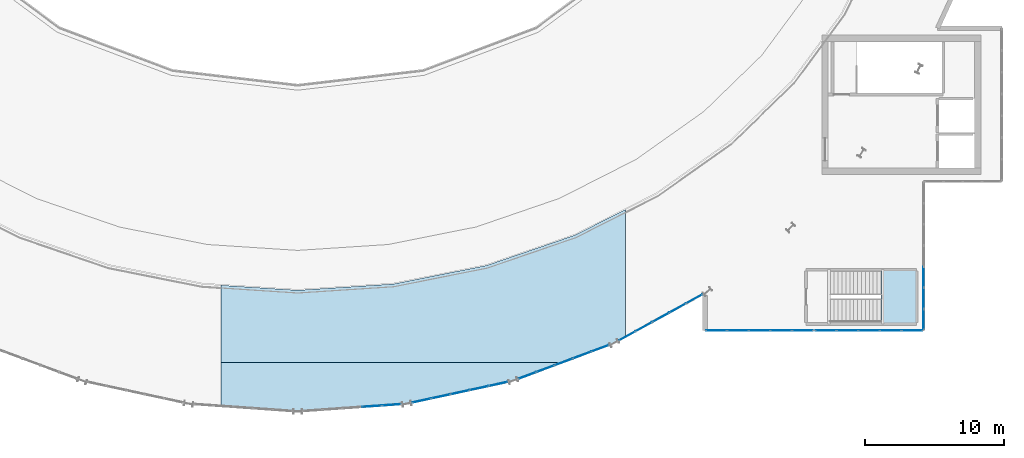
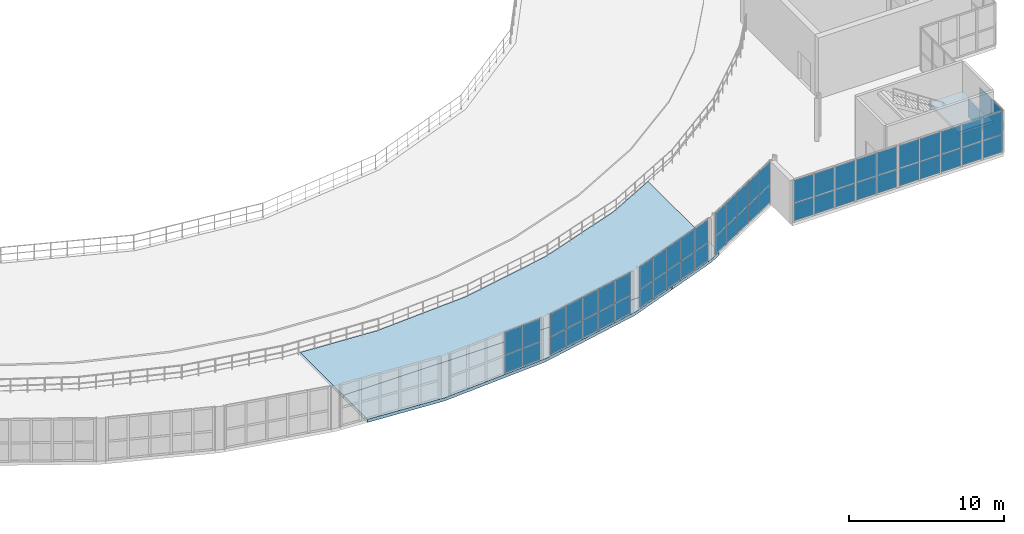
# One storey, part 26 of 40: 59 plates, 3 slabs, 8 elements without a shape of their own.
"""IFC4 building model written with IfcOpenShell, lengths in metres."""

from ifc_helpers import new_model, si_unit, direction, frame, origin, origin_2d, place, context, subcontext, project, spatial, polyline, rectangle, outline, extrude, material, layer, layer_set, type_object, element, aggregate, save


model = new_model("IFC4")

# Units and contexts
model_context = context("Model", 3, precision=1e-05, world=origin(), true_north=direction((0.0, 1.0)))
body_context = subcontext(model_context, "Body", "Model", "MODEL_VIEW")
ifc_project = project(units=[si_unit("LENGTHUNIT", "METRE"), si_unit("AREAUNIT", "SQUARE_METRE"), si_unit("VOLUMEUNIT", "CUBIC_METRE"), si_unit("PLANEANGLEUNIT", "RADIAN"), si_unit("MASSUNIT", "GRAM", prefix="KILO")], contexts=[model_context])

# Site, building, storey
site_placement = place(None, origin())
site = spatial("IfcSite", under=ifc_project, at=site_placement, CompositionType="ELEMENT")
building_placement = place(site_placement, origin())
building = spatial("IfcBuilding", under=site, at=building_placement, Name="Glasvene Arena", CompositionType="ELEMENT")
storey_placement = place(building_placement, frame((0.0, 0.0, 24.0)))
storey = spatial("IfcBuildingStorey", under=building, at=storey_placement, Name="L05", CompositionType="ELEMENT", Elevation=24.0)

# Curtain wall, plates
ifc_material_1 = material(Name="Low-emissivity laminated double glazing", Category="glass")
curtain_wall_type_1 = type_object("IfcCurtainWallType", Name="CW-FAC-L05-1062x332", PredefinedType="USERDEFINED", material=ifc_material_1)
curtain_wall_1_placement = place(storey_placement, frame((136.89990234375, 44.4599609375, 0.0)))
curtain_wall_1 = element("IfcCurtainWall", 1, at=curtain_wall_1_placement, inside=storey, type_object=curtain_wall_type_1, Name="Unitised curtain wall CW-F-L05-150-1369-392-37", ObjectType="CURTAIN WALL", PredefinedType="USERDEFINED")
ifc_layer_1 = layer(ifc_material_1, 0.028076171875)
ifc_layer_set_1 = layer_set([ifc_layer_1], Name="Low-emissivity laminated double glazing")
plate_type = type_object("IfcPlateType", Name="CW-GLZ-28", PredefinedType="CURTAIN_PANEL", material=ifc_layer_set_1)
plate_1_placement = place(storey_placement, frame((136.89990234375, 37.6328125, 0.10986328125), z_axis=(0.0, 0.0, 1.0), x_axis=(0.0, -1.0, 0.0)))
plate_1 = element("IfcPlate", 2, at=plate_1_placement, type_object=plate_type, Name="CW-054 panel 5.1", PredefinedType="CURTAIN_PANEL", context=body_context, shape_type="SweptSolid", body=[
    extrude(rectangle(XDim=1.467041015625, YDim=0.028076171875, at=origin_2d()), origin(), (0.0, 0.0, 1.0), 1.385986328125),
])
plate_2_placement = place(storey_placement, frame((136.89990234375, 36.11572265625, 0.10986328125), z_axis=(0.0, 0.0, 1.0), x_axis=(0.0, -1.0, 0.0)))
plate_2 = element("IfcPlate", 3, at=plate_2_placement, type_object=plate_type, Name="CW-054 panel 6.1", PredefinedType="CURTAIN_PANEL", context=body_context, shape_type="SweptSolid", body=[
    extrude(rectangle(XDim=1.467041015625, YDim=0.028076171875, at=origin_2d()), origin(), (0.0, 0.0, 1.0), 1.385986328125),
])
plate_3_placement = place(storey_placement, frame((136.89990234375, 36.11572265625, 1.5458984375), z_axis=(0.0, 0.0, 1.0), x_axis=(0.0, -1.0, 0.0)))
plate_3 = element("IfcPlate", 4, at=plate_3_placement, type_object=plate_type, Name="CW-054 panel 6.2", PredefinedType="CURTAIN_PANEL", context=body_context, shape_type="SweptSolid", body=[
    extrude(rectangle(XDim=1.467041015625, YDim=0.028076171875, at=origin_2d()), origin(), (0.0, 0.0, 1.0), 1.783935546875),
])
plate_4_placement = place(storey_placement, frame((136.89990234375, 34.611083984375, 0.10986328125), z_axis=(0.0, 0.0, 1.0), x_axis=(0.0, -1.0, 0.0)))
plate_4 = element("IfcPlate", 5, at=plate_4_placement, type_object=plate_type, Name="CW-054 panel 7.1", PredefinedType="CURTAIN_PANEL", context=body_context, shape_type="SweptSolid", body=[
    extrude(rectangle(XDim=1.442138671875, YDim=0.028076171875, at=origin_2d()), origin(), (0.0, 0.0, 1.0), 1.385986328125),
])
plate_5_placement = place(storey_placement, frame((136.89990234375, 34.611083984375, 1.5458984375), z_axis=(0.0, 0.0, 1.0), x_axis=(0.0, -1.0, 0.0)))
plate_5 = element("IfcPlate", 6, at=plate_5_placement, type_object=plate_type, Name="CW-054 panel 7.2", PredefinedType="CURTAIN_PANEL", context=body_context, shape_type="SweptSolid", body=[
    extrude(rectangle(XDim=1.442138671875, YDim=0.028076171875, at=origin_2d()), origin(), (0.0, 0.0, 1.0), 1.783935546875),
])
aggregate(curtain_wall_1, [plate_1, plate_2, plate_3, plate_4, plate_5])

curtain_wall_type_2 = type_object("IfcCurtainWallType", Name="CW-FAC-L05-777x332", PredefinedType="USERDEFINED", material=ifc_material_1)
curtain_wall_2_placement = place(storey_placement, frame((136.860107421875, 33.800048828125, 0.0)))
curtain_wall_2 = element("IfcCurtainWall", 7, at=curtain_wall_2_placement, inside=storey, type_object=curtain_wall_type_2, Name="Unitised curtain wall CW-F-L05-150-1330-338-38", ObjectType="CURTAIN WALL", PredefinedType="USERDEFINED")
plate_6_placement = place(storey_placement, frame((136.070556640625, 33.800048828125, 0.10986328125), z_axis=(0.0, 0.0, 1.0), x_axis=(-1.0, 0.0, 0.0)))
plate_6 = element("IfcPlate", 8, at=plate_6_placement, type_object=plate_type, Name="CW-068 panel 1.1", PredefinedType="CURTAIN_PANEL", context=body_context, shape_type="SweptSolid", body=[
    extrude(rectangle(XDim=1.47900390625, YDim=0.028076171875, at=origin_2d()), origin(), (0.0, 0.0, 1.0), 1.385986328125),
])
plate_7_placement = place(storey_placement, frame((136.070556640625, 33.800048828125, 1.5458984375), z_axis=(0.0, 0.0, 1.0), x_axis=(-1.0, 0.0, 0.0)))
plate_7 = element("IfcPlate", 9, at=plate_7_placement, type_object=plate_type, Name="CW-068 panel 1.2", PredefinedType="CURTAIN_PANEL", context=body_context, shape_type="SweptSolid", body=[
    extrude(rectangle(XDim=1.47900390625, YDim=0.028076171875, at=origin_2d()), origin(), (0.0, 0.0, 1.0), 1.783935546875),
])
plate_8_placement = place(storey_placement, frame((134.529052734375, 33.800048828125, 0.10986328125), z_axis=(0.0, 0.0, 1.0), x_axis=(-1.0, 0.0, 0.0)))
plate_8 = element("IfcPlate", 10, at=plate_8_placement, type_object=plate_type, Name="CW-068 panel 2.1", PredefinedType="CURTAIN_PANEL", context=body_context, shape_type="SweptSolid", body=[
    extrude(rectangle(XDim=1.50390625, YDim=0.028076171875, at=origin_2d()), origin(), (0.0, 0.0, 1.0), 1.385986328125),
])
plate_9_placement = place(storey_placement, frame((134.529052734375, 33.800048828125, 1.5458984375), z_axis=(0.0, 0.0, 1.0), x_axis=(-1.0, 0.0, 0.0)))
plate_9 = element("IfcPlate", 11, at=plate_9_placement, type_object=plate_type, Name="CW-068 panel 2.2", PredefinedType="CURTAIN_PANEL", context=body_context, shape_type="SweptSolid", body=[
    extrude(rectangle(XDim=1.50390625, YDim=0.028076171875, at=origin_2d()), origin(), (0.0, 0.0, 1.0), 1.783935546875),
])
plate_10_placement = place(storey_placement, frame((132.97509765625, 33.800048828125, 0.10986328125), z_axis=(0.0, 0.0, 1.0), x_axis=(-1.0, 0.0, 0.0)))
plate_10 = element("IfcPlate", 12, at=plate_10_placement, type_object=plate_type, Name="CW-068 panel 3.1", PredefinedType="CURTAIN_PANEL", context=body_context, shape_type="SweptSolid", body=[
    extrude(rectangle(XDim=1.50390625, YDim=0.028076171875, at=origin_2d()), origin(), (0.0, 0.0, 1.0), 1.385986328125),
])
plate_11_placement = place(storey_placement, frame((132.97509765625, 33.800048828125, 1.5458984375), z_axis=(0.0, 0.0, 1.0), x_axis=(-1.0, 0.0, 0.0)))
plate_11 = element("IfcPlate", 13, at=plate_11_placement, type_object=plate_type, Name="CW-068 panel 3.2", PredefinedType="CURTAIN_PANEL", context=body_context, shape_type="SweptSolid", body=[
    extrude(rectangle(XDim=1.50390625, YDim=0.028076171875, at=origin_2d()), origin(), (0.0, 0.0, 1.0), 1.783935546875),
])
plate_12_placement = place(storey_placement, frame((131.4208984375, 33.800048828125, 0.10986328125), z_axis=(0.0, 0.0, 1.0), x_axis=(-1.0, 0.0, 0.0)))
plate_12 = element("IfcPlate", 14, at=plate_12_placement, type_object=plate_type, Name="CW-068 panel 4.1", PredefinedType="CURTAIN_PANEL", context=body_context, shape_type="SweptSolid", body=[
    extrude(rectangle(XDim=1.50390625, YDim=0.028076171875, at=origin_2d()), origin(), (0.0, 0.0, 1.0), 1.385986328125),
])
plate_13_placement = place(storey_placement, frame((131.4208984375, 33.800048828125, 1.5458984375), z_axis=(0.0, 0.0, 1.0), x_axis=(-1.0, 0.0, 0.0)))
plate_13 = element("IfcPlate", 15, at=plate_13_placement, type_object=plate_type, Name="CW-068 panel 4.2", PredefinedType="CURTAIN_PANEL", context=body_context, shape_type="SweptSolid", body=[
    extrude(rectangle(XDim=1.50390625, YDim=0.028076171875, at=origin_2d()), origin(), (0.0, 0.0, 1.0), 1.783935546875),
])
plate_14_placement = place(storey_placement, frame((129.87939453125, 33.800048828125, 0.10986328125), z_axis=(0.0, 0.0, 1.0), x_axis=(-1.0, 0.0, 0.0)))
plate_14 = element("IfcPlate", 16, at=plate_14_placement, type_object=plate_type, Name="CW-068 panel 5.1", PredefinedType="CURTAIN_PANEL", context=body_context, shape_type="SweptSolid", body=[
    extrude(rectangle(XDim=1.47900390625, YDim=0.028076171875, at=origin_2d()), origin(), (0.0, 0.0, 1.0), 1.385986328125),
])
plate_15_placement = place(storey_placement, frame((129.87939453125, 33.800048828125, 1.5458984375), z_axis=(0.0, 0.0, 1.0), x_axis=(-1.0, 0.0, 0.0)))
plate_15 = element("IfcPlate", 17, at=plate_15_placement, type_object=plate_type, Name="CW-068 panel 5.2", PredefinedType="CURTAIN_PANEL", context=body_context, shape_type="SweptSolid", body=[
    extrude(rectangle(XDim=1.47900390625, YDim=0.028076171875, at=origin_2d()), origin(), (0.0, 0.0, 1.0), 1.783935546875),
])
aggregate(curtain_wall_2, [plate_6, plate_7, plate_8, plate_9, plate_10, plate_11, plate_12, plate_13, plate_14, plate_15])

curtain_wall_3_placement = place(storey_placement, frame((129.010009765625, 33.800048828125, 0.0)))
curtain_wall_3 = element("IfcCurtainWall", 18, at=curtain_wall_3_placement, inside=storey, type_object=curtain_wall_type_2, Name="Unitised curtain wall CW-F-L05-150-1251-338-39", ObjectType="CURTAIN WALL", PredefinedType="USERDEFINED")
plate_16_placement = place(storey_placement, frame((128.220458984375, 33.800048828125, 0.10986328125), z_axis=(0.0, 0.0, 1.0), x_axis=(-1.0, 0.0, 0.0)))
plate_16 = element("IfcPlate", 19, at=plate_16_placement, type_object=plate_type, Name="CW-068 panel 1.1", PredefinedType="CURTAIN_PANEL", context=body_context, shape_type="SweptSolid", body=[
    extrude(rectangle(XDim=1.47900390625, YDim=0.028076171875, at=origin_2d()), origin(), (0.0, 0.0, 1.0), 1.385986328125),
])
plate_17_placement = place(storey_placement, frame((128.220458984375, 33.800048828125, 1.5458984375), z_axis=(0.0, 0.0, 1.0), x_axis=(-1.0, 0.0, 0.0)))
plate_17 = element("IfcPlate", 20, at=plate_17_placement, type_object=plate_type, Name="CW-068 panel 1.2", PredefinedType="CURTAIN_PANEL", context=body_context, shape_type="SweptSolid", body=[
    extrude(rectangle(XDim=1.47900390625, YDim=0.028076171875, at=origin_2d()), origin(), (0.0, 0.0, 1.0), 1.783935546875),
])
plate_18_placement = place(storey_placement, frame((126.678955078125, 33.800048828125, 0.10986328125), z_axis=(0.0, 0.0, 1.0), x_axis=(-1.0, 0.0, 0.0)))
plate_18 = element("IfcPlate", 21, at=plate_18_placement, type_object=plate_type, Name="CW-068 panel 2.1", PredefinedType="CURTAIN_PANEL", context=body_context, shape_type="SweptSolid", body=[
    extrude(rectangle(XDim=1.50390625, YDim=0.028076171875, at=origin_2d()), origin(), (0.0, 0.0, 1.0), 1.385986328125),
])
plate_19_placement = place(storey_placement, frame((126.678955078125, 33.800048828125, 1.5458984375), z_axis=(0.0, 0.0, 1.0), x_axis=(-1.0, 0.0, 0.0)))
plate_19 = element("IfcPlate", 22, at=plate_19_placement, type_object=plate_type, Name="CW-068 panel 2.2", PredefinedType="CURTAIN_PANEL", context=body_context, shape_type="SweptSolid", body=[
    extrude(rectangle(XDim=1.50390625, YDim=0.028076171875, at=origin_2d()), origin(), (0.0, 0.0, 1.0), 1.783935546875),
])
plate_20_placement = place(storey_placement, frame((125.125, 33.800048828125, 0.10986328125), z_axis=(0.0, 0.0, 1.0), x_axis=(-1.0, 0.0, 0.0)))
plate_20 = element("IfcPlate", 23, at=plate_20_placement, type_object=plate_type, Name="CW-068 panel 3.1", PredefinedType="CURTAIN_PANEL", context=body_context, shape_type="SweptSolid", body=[
    extrude(rectangle(XDim=1.50390625, YDim=0.028076171875, at=origin_2d()), origin(), (0.0, 0.0, 1.0), 1.385986328125),
])
plate_21_placement = place(storey_placement, frame((125.125, 33.800048828125, 1.5458984375), z_axis=(0.0, 0.0, 1.0), x_axis=(-1.0, 0.0, 0.0)))
plate_21 = element("IfcPlate", 24, at=plate_21_placement, type_object=plate_type, Name="CW-068 panel 3.2", PredefinedType="CURTAIN_PANEL", context=body_context, shape_type="SweptSolid", body=[
    extrude(rectangle(XDim=1.50390625, YDim=0.028076171875, at=origin_2d()), origin(), (0.0, 0.0, 1.0), 1.783935546875),
])
plate_22_placement = place(storey_placement, frame((123.571044921875, 33.800048828125, 0.10986328125), z_axis=(0.0, 0.0, 1.0), x_axis=(-1.0, 0.0, 0.0)))
plate_22 = element("IfcPlate", 25, at=plate_22_placement, type_object=plate_type, Name="CW-068 panel 4.1", PredefinedType="CURTAIN_PANEL", context=body_context, shape_type="SweptSolid", body=[
    extrude(rectangle(XDim=1.50390625, YDim=0.028076171875, at=origin_2d()), origin(), (0.0, 0.0, 1.0), 1.385986328125),
])
plate_23_placement = place(storey_placement, frame((123.571044921875, 33.800048828125, 1.5458984375), z_axis=(0.0, 0.0, 1.0), x_axis=(-1.0, 0.0, 0.0)))
plate_23 = element("IfcPlate", 26, at=plate_23_placement, type_object=plate_type, Name="CW-068 panel 4.2", PredefinedType="CURTAIN_PANEL", context=body_context, shape_type="SweptSolid", body=[
    extrude(rectangle(XDim=1.50390625, YDim=0.028076171875, at=origin_2d()), origin(), (0.0, 0.0, 1.0), 1.783935546875),
])
plate_24_placement = place(storey_placement, frame((122.029541015625, 33.800048828125, 0.10986328125), z_axis=(0.0, 0.0, 1.0), x_axis=(-1.0, 0.0, 0.0)))
plate_24 = element("IfcPlate", 27, at=plate_24_placement, type_object=plate_type, Name="CW-068 panel 5.1", PredefinedType="CURTAIN_PANEL", context=body_context, shape_type="SweptSolid", body=[
    extrude(rectangle(XDim=1.47900390625, YDim=0.028076171875, at=origin_2d()), origin(), (0.0, 0.0, 1.0), 1.385986328125),
])
plate_25_placement = place(storey_placement, frame((122.029541015625, 33.800048828125, 1.5458984375), z_axis=(0.0, 0.0, 1.0), x_axis=(-1.0, 0.0, 0.0)))
plate_25 = element("IfcPlate", 28, at=plate_25_placement, type_object=plate_type, Name="CW-068 panel 5.2", PredefinedType="CURTAIN_PANEL", context=body_context, shape_type="SweptSolid", body=[
    extrude(rectangle(XDim=1.47900390625, YDim=0.028076171875, at=origin_2d()), origin(), (0.0, 0.0, 1.0), 1.783935546875),
])
aggregate(curtain_wall_3, [plate_16, plate_17, plate_18, plate_19, plate_20, plate_21, plate_22, plate_23, plate_24, plate_25])

curtain_wall_type_3 = type_object("IfcCurtainWallType", Name="CW-FAC-L05-690x332", PredefinedType="USERDEFINED", material=ifc_material_1)
curtain_wall_4_placement = place(storey_placement, frame((121.0634765625, 36.41455078125, 0.0)))
curtain_wall_4 = element("IfcCurtainWall", 29, at=curtain_wall_4_placement, inside=storey, type_object=curtain_wall_type_3, Name="Unitised curtain wall CW-F-L05-150-1180-347-41", ObjectType="CURTAIN WALL", PredefinedType="USERDEFINED")
plate_26_placement = place(storey_placement, frame((120.4482421875, 36.0751953125, 0.10986328125), z_axis=(0.0, 0.0, 1.0), x_axis=(-0.875654185248, -0.482938658483, 0.0)))
plate_26 = element("IfcPlate", 30, at=plate_26_placement, type_object=plate_type, Name="CW-062 panel 1.1", PredefinedType="CURTAIN_PANEL", context=body_context, shape_type="SweptSolid", body=[
    extrude(rectangle(XDim=1.30517578125, YDim=0.028076171875, at=origin_2d()), origin(), (0.0, 0.0, 1.0), 1.385986328125),
])
plate_27_placement = place(storey_placement, frame((120.4482421875, 36.0751953125, 1.5458984375), z_axis=(0.0, 0.0, 1.0), x_axis=(-0.875654185248, -0.482938658483, 0.0)))
plate_27 = element("IfcPlate", 31, at=plate_27_placement, type_object=plate_type, Name="CW-062 panel 1.2", PredefinedType="CURTAIN_PANEL", context=body_context, shape_type="SweptSolid", body=[
    extrude(rectangle(XDim=1.30517578125, YDim=0.028076171875, at=origin_2d()), origin(), (0.0, 0.0, 1.0), 1.783935546875),
])
plate_28_placement = place(storey_placement, frame((119.250732421875, 35.414794921875, 0.10986328125), z_axis=(0.0, 0.0, 1.0), x_axis=(-0.875654185248, -0.482938658483, 0.0)))
plate_28 = element("IfcPlate", 32, at=plate_28_placement, type_object=plate_type, Name="CW-062 panel 2.1", PredefinedType="CURTAIN_PANEL", context=body_context, shape_type="SweptSolid", body=[
    extrude(rectangle(XDim=1.330078125, YDim=0.028076171875, at=origin_2d()), origin(), (0.0, 0.0, 1.0), 1.385986328125),
])
plate_29_placement = place(storey_placement, frame((119.250732421875, 35.414794921875, 1.5458984375), z_axis=(0.0, 0.0, 1.0), x_axis=(-0.875654185248, -0.482938658483, 0.0)))
plate_29 = element("IfcPlate", 33, at=plate_29_placement, type_object=plate_type, Name="CW-062 panel 2.2", PredefinedType="CURTAIN_PANEL", context=body_context, shape_type="SweptSolid", body=[
    extrude(rectangle(XDim=1.330078125, YDim=0.028076171875, at=origin_2d()), origin(), (0.0, 0.0, 1.0), 1.783935546875),
])
plate_30_placement = place(storey_placement, frame((118.042236328125, 34.748291015625, 0.10986328125), z_axis=(0.0, 0.0, 1.0), x_axis=(-0.875654185248, -0.482938658483, 0.0)))
plate_30 = element("IfcPlate", 34, at=plate_30_placement, type_object=plate_type, Name="CW-062 panel 3.1", PredefinedType="CURTAIN_PANEL", context=body_context, shape_type="SweptSolid", body=[
    extrude(rectangle(XDim=1.330078125, YDim=0.028076171875, at=origin_2d()), origin(), (0.0, 0.0, 1.0), 1.385986328125),
])
plate_31_placement = place(storey_placement, frame((118.042236328125, 34.748291015625, 1.5458984375), z_axis=(0.0, 0.0, 1.0), x_axis=(-0.875654185248, -0.482938658483, 0.0)))
plate_31 = element("IfcPlate", 35, at=plate_31_placement, type_object=plate_type, Name="CW-062 panel 3.2", PredefinedType="CURTAIN_PANEL", context=body_context, shape_type="SweptSolid", body=[
    extrude(rectangle(XDim=1.330078125, YDim=0.028076171875, at=origin_2d()), origin(), (0.0, 0.0, 1.0), 1.783935546875),
])
plate_32_placement = place(storey_placement, frame((116.833740234375, 34.081787109375, 0.10986328125), z_axis=(0.0, 0.0, 1.0), x_axis=(-0.875654185248, -0.482938658483, 0.0)))
plate_32 = element("IfcPlate", 36, at=plate_32_placement, type_object=plate_type, Name="CW-062 panel 4.1", PredefinedType="CURTAIN_PANEL", context=body_context, shape_type="SweptSolid", body=[
    extrude(rectangle(XDim=1.330078125, YDim=0.028076171875, at=origin_2d()), origin(), (0.0, 0.0, 1.0), 1.385986328125),
])
plate_33_placement = place(storey_placement, frame((116.833740234375, 34.081787109375, 1.5458984375), z_axis=(0.0, 0.0, 1.0), x_axis=(-0.875654185248, -0.482938658483, 0.0)))
plate_33 = element("IfcPlate", 37, at=plate_33_placement, type_object=plate_type, Name="CW-062 panel 4.2", PredefinedType="CURTAIN_PANEL", context=body_context, shape_type="SweptSolid", body=[
    extrude(rectangle(XDim=1.330078125, YDim=0.028076171875, at=origin_2d()), origin(), (0.0, 0.0, 1.0), 1.783935546875),
])
plate_34_placement = place(storey_placement, frame((115.635986328125, 33.421142578125, 0.10986328125), z_axis=(0.0, 0.0, 1.0), x_axis=(-0.875654185248, -0.482938658483, 0.0)))
plate_34 = element("IfcPlate", 38, at=plate_34_placement, type_object=plate_type, Name="CW-062 panel 5.1", PredefinedType="CURTAIN_PANEL", context=body_context, shape_type="SweptSolid", body=[
    extrude(rectangle(XDim=1.30517578125, YDim=0.028076171875, at=origin_2d()), origin(), (0.0, 0.0, 1.0), 1.385986328125),
])
plate_35_placement = place(storey_placement, frame((115.635986328125, 33.421142578125, 1.5458984375), z_axis=(0.0, 0.0, 1.0), x_axis=(-0.875654185248, -0.482938658483, 0.0)))
plate_35 = element("IfcPlate", 39, at=plate_35_placement, type_object=plate_type, Name="CW-062 panel 5.2", PredefinedType="CURTAIN_PANEL", context=body_context, shape_type="SweptSolid", body=[
    extrude(rectangle(XDim=1.30517578125, YDim=0.028076171875, at=origin_2d()), origin(), (0.0, 0.0, 1.0), 1.783935546875),
])
aggregate(curtain_wall_4, [plate_26, plate_27, plate_28, plate_29, plate_30, plate_31, plate_32, plate_33, plate_34, plate_35])

curtain_wall_type_4 = type_object("IfcCurtainWallType", Name="CW-FAC-L05-700x332", PredefinedType="USERDEFINED", material=ifc_material_1)
curtain_wall_5_placement = place(storey_placement, frame((114.351806640625, 32.77490234375, 0.0)))
curtain_wall_5 = element("IfcCurtainWall", 40, at=curtain_wall_5_placement, inside=storey, type_object=curtain_wall_type_4, Name="Unitised curtain wall CW-F-L05-150-1111-316-42", ObjectType="CURTAIN WALL", PredefinedType="USERDEFINED")
plate_36_placement = place(storey_placement, frame((113.684326171875, 32.526123046875, 0.10986328125), z_axis=(0.0, 0.0, 1.0), x_axis=(-0.937012154818, -0.349296753096, 0.0)))
plate_36 = element("IfcPlate", 41, at=plate_36_placement, type_object=plate_type, Name="CW-063 panel 1.1", PredefinedType="CURTAIN_PANEL", context=body_context, shape_type="SweptSolid", body=[
    extrude(rectangle(XDim=1.324462890625, YDim=0.028076171875, at=origin_2d()), origin(), (0.0, 0.0, 1.0), 1.385986328125),
])
plate_37_placement = place(storey_placement, frame((113.684326171875, 32.526123046875, 1.5458984375), z_axis=(0.0, 0.0, 1.0), x_axis=(-0.937012154818, -0.349296753096, 0.0)))
plate_37 = element("IfcPlate", 42, at=plate_37_placement, type_object=plate_type, Name="CW-063 panel 1.2", PredefinedType="CURTAIN_PANEL", context=body_context, shape_type="SweptSolid", body=[
    extrude(rectangle(XDim=1.324462890625, YDim=0.028076171875, at=origin_2d()), origin(), (0.0, 0.0, 1.0), 1.783935546875),
])
plate_38_placement = place(storey_placement, frame((112.384521484375, 32.041748046875, 0.10986328125), z_axis=(0.0, 0.0, 1.0), x_axis=(-0.937012154818, -0.349296753096, 0.0)))
plate_38 = element("IfcPlate", 43, at=plate_38_placement, type_object=plate_type, Name="CW-063 panel 2.1", PredefinedType="CURTAIN_PANEL", context=body_context, shape_type="SweptSolid", body=[
    extrude(rectangle(XDim=1.349609375, YDim=0.028076171875, at=origin_2d()), origin(), (0.0, 0.0, 1.0), 1.385986328125),
])
plate_39_placement = place(storey_placement, frame((112.384521484375, 32.041748046875, 1.5458984375), z_axis=(0.0, 0.0, 1.0), x_axis=(-0.937012154818, -0.349296753096, 0.0)))
plate_39 = element("IfcPlate", 44, at=plate_39_placement, type_object=plate_type, Name="CW-063 panel 2.2", PredefinedType="CURTAIN_PANEL", context=body_context, shape_type="SweptSolid", body=[
    extrude(rectangle(XDim=1.349609375, YDim=0.028076171875, at=origin_2d()), origin(), (0.0, 0.0, 1.0), 1.783935546875),
])
plate_40_placement = place(storey_placement, frame((111.0732421875, 31.552734375, 0.10986328125), z_axis=(0.0, 0.0, 1.0), x_axis=(-0.937012154818, -0.349296753096, 0.0)))
plate_40 = element("IfcPlate", 45, at=plate_40_placement, type_object=plate_type, Name="CW-063 panel 3.1", PredefinedType="CURTAIN_PANEL", context=body_context, shape_type="SweptSolid", body=[
    extrude(rectangle(XDim=1.349609375, YDim=0.028076171875, at=origin_2d()), origin(), (0.0, 0.0, 1.0), 1.385986328125),
])
plate_41_placement = place(storey_placement, frame((111.0732421875, 31.552734375, 1.5458984375), z_axis=(0.0, 0.0, 1.0), x_axis=(-0.937012154818, -0.349296753096, 0.0)))
plate_41 = element("IfcPlate", 46, at=plate_41_placement, type_object=plate_type, Name="CW-063 panel 3.2", PredefinedType="CURTAIN_PANEL", context=body_context, shape_type="SweptSolid", body=[
    extrude(rectangle(XDim=1.349609375, YDim=0.028076171875, at=origin_2d()), origin(), (0.0, 0.0, 1.0), 1.783935546875),
])
plate_42_placement = place(storey_placement, frame((109.76171875, 31.06396484375, 0.10986328125), z_axis=(0.0, 0.0, 1.0), x_axis=(-0.937012154818, -0.349296753096, 0.0)))
plate_42 = element("IfcPlate", 47, at=plate_42_placement, type_object=plate_type, Name="CW-063 panel 4.1", PredefinedType="CURTAIN_PANEL", context=body_context, shape_type="SweptSolid", body=[
    extrude(rectangle(XDim=1.349609375, YDim=0.028076171875, at=origin_2d()), origin(), (0.0, 0.0, 1.0), 1.385986328125),
])
plate_43_placement = place(storey_placement, frame((109.76171875, 31.06396484375, 1.5458984375), z_axis=(0.0, 0.0, 1.0), x_axis=(-0.937012154818, -0.349296753096, 0.0)))
plate_43 = element("IfcPlate", 48, at=plate_43_placement, type_object=plate_type, Name="CW-063 panel 4.2", PredefinedType="CURTAIN_PANEL", context=body_context, shape_type="SweptSolid", body=[
    extrude(rectangle(XDim=1.349609375, YDim=0.028076171875, at=origin_2d()), origin(), (0.0, 0.0, 1.0), 1.783935546875),
])
plate_44_placement = place(storey_placement, frame((108.462158203125, 30.57958984375, 0.10986328125), z_axis=(0.0, 0.0, 1.0), x_axis=(-0.937012154818, -0.349296753096, 0.0)))
plate_44 = element("IfcPlate", 49, at=plate_44_placement, type_object=plate_type, Name="CW-063 panel 5.1", PredefinedType="CURTAIN_PANEL", context=body_context, shape_type="SweptSolid", body=[
    extrude(rectangle(XDim=1.324462890625, YDim=0.028076171875, at=origin_2d()), origin(), (0.0, 0.0, 1.0), 1.385986328125),
])
plate_45_placement = place(storey_placement, frame((108.462158203125, 30.57958984375, 1.5458984375), z_axis=(0.0, 0.0, 1.0), x_axis=(-0.937012154818, -0.349296753096, 0.0)))
plate_45 = element("IfcPlate", 50, at=plate_45_placement, type_object=plate_type, Name="CW-063 panel 5.2", PredefinedType="CURTAIN_PANEL", context=body_context, shape_type="SweptSolid", body=[
    extrude(rectangle(XDim=1.324462890625, YDim=0.028076171875, at=origin_2d()), origin(), (0.0, 0.0, 1.0), 1.783935546875),
])
aggregate(curtain_wall_5, [plate_36, plate_37, plate_38, plate_39, plate_40, plate_41, plate_42, plate_43, plate_44, plate_45])

curtain_wall_type_5 = type_object("IfcCurtainWallType", Name="CW-FAC-L05-707x332", PredefinedType="USERDEFINED", material=ifc_material_1)
curtain_wall_6_placement = place(storey_placement, frame((107.089111328125, 30.12451171875, 0.0)))
curtain_wall_6 = element("IfcCurtainWall", 51, at=curtain_wall_6_placement, inside=storey, type_object=curtain_wall_type_5, Name="Unitised curtain wall CW-F-L05-150-1036-294-43", ObjectType="CURTAIN WALL", PredefinedType="USERDEFINED")
plate_46_placement = place(storey_placement, frame((106.38623046875, 29.972412109375, 0.10986328125), z_axis=(0.0, 0.0, 1.0), x_axis=(-0.977438407668, -0.211220641072, 0.0)))
plate_46 = element("IfcPlate", 52, at=plate_46_placement, type_object=plate_type, Name="CW-064 panel 1.1", PredefinedType="CURTAIN_PANEL", context=body_context, shape_type="SweptSolid", body=[
    extrude(rectangle(XDim=1.338623046875, YDim=0.028076171875, at=origin_2d()), origin(), (0.0, 0.0, 1.0), 1.385986328125),
])
plate_47_placement = place(storey_placement, frame((106.38623046875, 29.972412109375, 1.5458984375), z_axis=(0.0, 0.0, 1.0), x_axis=(-0.977438407668, -0.211220641072, 0.0)))
plate_47 = element("IfcPlate", 53, at=plate_47_placement, type_object=plate_type, Name="CW-064 panel 1.2", PredefinedType="CURTAIN_PANEL", context=body_context, shape_type="SweptSolid", body=[
    extrude(rectangle(XDim=1.338623046875, YDim=0.028076171875, at=origin_2d()), origin(), (0.0, 0.0, 1.0), 1.783935546875),
])
plate_48_placement = place(storey_placement, frame((105.0166015625, 29.676513671875, 0.10986328125), z_axis=(0.0, 0.0, 1.0), x_axis=(-0.977438407668, -0.211220641072, 0.0)))
plate_48 = element("IfcPlate", 54, at=plate_48_placement, type_object=plate_type, Name="CW-064 panel 2.1", PredefinedType="CURTAIN_PANEL", context=body_context, shape_type="SweptSolid", body=[
    extrude(rectangle(XDim=1.363525390625, YDim=0.028076171875, at=origin_2d()), origin(), (0.0, 0.0, 1.0), 1.385986328125),
])
plate_49_placement = place(storey_placement, frame((105.0166015625, 29.676513671875, 1.5458984375), z_axis=(0.0, 0.0, 1.0), x_axis=(-0.977438407668, -0.211220641072, 0.0)))
plate_49 = element("IfcPlate", 55, at=plate_49_placement, type_object=plate_type, Name="CW-064 panel 2.2", PredefinedType="CURTAIN_PANEL", context=body_context, shape_type="SweptSolid", body=[
    extrude(rectangle(XDim=1.363525390625, YDim=0.028076171875, at=origin_2d()), origin(), (0.0, 0.0, 1.0), 1.783935546875),
])
plate_50_placement = place(storey_placement, frame((103.635009765625, 29.3779296875, 0.10986328125), z_axis=(0.0, 0.0, 1.0), x_axis=(-0.977438407668, -0.211220641072, 0.0)))
plate_50 = element("IfcPlate", 56, at=plate_50_placement, type_object=plate_type, Name="CW-064 panel 3.1", PredefinedType="CURTAIN_PANEL", context=body_context, shape_type="SweptSolid", body=[
    extrude(rectangle(XDim=1.363525390625, YDim=0.028076171875, at=origin_2d()), origin(), (0.0, 0.0, 1.0), 1.385986328125),
])
plate_51_placement = place(storey_placement, frame((103.635009765625, 29.3779296875, 1.5458984375), z_axis=(0.0, 0.0, 1.0), x_axis=(-0.977438407668, -0.211220641072, 0.0)))
plate_51 = element("IfcPlate", 57, at=plate_51_placement, type_object=plate_type, Name="CW-064 panel 3.2", PredefinedType="CURTAIN_PANEL", context=body_context, shape_type="SweptSolid", body=[
    extrude(rectangle(XDim=1.363525390625, YDim=0.028076171875, at=origin_2d()), origin(), (0.0, 0.0, 1.0), 1.783935546875),
])
plate_52_placement = place(storey_placement, frame((102.253173828125, 29.079345703125, 0.10986328125), z_axis=(0.0, 0.0, 1.0), x_axis=(-0.977438407668, -0.211220641072, 0.0)))
plate_52 = element("IfcPlate", 58, at=plate_52_placement, type_object=plate_type, Name="CW-064 panel 4.1", PredefinedType="CURTAIN_PANEL", context=body_context, shape_type="SweptSolid", body=[
    extrude(rectangle(XDim=1.363525390625, YDim=0.028076171875, at=origin_2d()), origin(), (0.0, 0.0, 1.0), 1.385986328125),
])
plate_53_placement = place(storey_placement, frame((102.253173828125, 29.079345703125, 1.5458984375), z_axis=(0.0, 0.0, 1.0), x_axis=(-0.977438407668, -0.211220641072, 0.0)))
plate_53 = element("IfcPlate", 59, at=plate_53_placement, type_object=plate_type, Name="CW-064 panel 4.2", PredefinedType="CURTAIN_PANEL", context=body_context, shape_type="SweptSolid", body=[
    extrude(rectangle(XDim=1.363525390625, YDim=0.028076171875, at=origin_2d()), origin(), (0.0, 0.0, 1.0), 1.783935546875),
])
plate_54_placement = place(storey_placement, frame((100.8837890625, 28.783447265625, 0.10986328125), z_axis=(0.0, 0.0, 1.0), x_axis=(-0.977438407668, -0.211220641072, 0.0)))
plate_54 = element("IfcPlate", 60, at=plate_54_placement, type_object=plate_type, Name="CW-064 panel 5.1", PredefinedType="CURTAIN_PANEL", context=body_context, shape_type="SweptSolid", body=[
    extrude(rectangle(XDim=1.338623046875, YDim=0.028076171875, at=origin_2d()), origin(), (0.0, 0.0, 1.0), 1.385986328125),
])
plate_55_placement = place(storey_placement, frame((100.8837890625, 28.783447265625, 1.5458984375), z_axis=(0.0, 0.0, 1.0), x_axis=(-0.977438407668, -0.211220641072, 0.0)))
plate_55 = element("IfcPlate", 61, at=plate_55_placement, type_object=plate_type, Name="CW-064 panel 5.2", PredefinedType="CURTAIN_PANEL", context=body_context, shape_type="SweptSolid", body=[
    extrude(rectangle(XDim=1.338623046875, YDim=0.028076171875, at=origin_2d()), origin(), (0.0, 0.0, 1.0), 1.783935546875),
])
aggregate(curtain_wall_6, [plate_46, plate_47, plate_48, plate_49, plate_50, plate_51, plate_52, plate_53, plate_54, plate_55])

curtain_wall_type_6 = type_object("IfcCurtainWallType", Name="CW-FAC-L05-710x332", PredefinedType="USERDEFINED", material=ifc_material_1)
curtain_wall_7_placement = place(storey_placement, frame((99.453857421875, 28.528076171875, 0.0)))
curtain_wall_7 = element("IfcCurtainWall", 62, at=curtain_wall_7_placement, inside=storey, type_object=curtain_wall_type_6, Name="Unitised curtain wall CW-F-L05-150-959-283-44", ObjectType="CURTAIN WALL", PredefinedType="USERDEFINED")
plate_56_placement = place(storey_placement, frame((98.732666015625, 28.476806640625, 0.10986328125), z_axis=(0.0, 0.0, 1.0), x_axis=(-0.997500679029, -0.070656884566, 0.0)))
plate_56 = element("IfcPlate", 63, at=plate_56_placement, type_object=plate_type, Name="CW-065 panel 1.1", PredefinedType="CURTAIN_PANEL", context=body_context, shape_type="SweptSolid", body=[
    extrude(rectangle(XDim=1.345947265625, YDim=0.028076171875, at=origin_2d()), origin(), (0.0, 0.0, 1.0), 1.385986328125),
])
plate_57_placement = place(storey_placement, frame((98.732666015625, 28.476806640625, 1.5458984375), z_axis=(0.0, 0.0, 1.0), x_axis=(-0.997500679029, -0.070656884566, 0.0)))
plate_57 = element("IfcPlate", 64, at=plate_57_placement, type_object=plate_type, Name="CW-065 panel 1.2", PredefinedType="CURTAIN_PANEL", context=body_context, shape_type="SweptSolid", body=[
    extrude(rectangle(XDim=1.345947265625, YDim=0.028076171875, at=origin_2d()), origin(), (0.0, 0.0, 1.0), 1.783935546875),
])
plate_58_placement = place(storey_placement, frame((97.327880859375, 28.37744140625, 0.10986328125), z_axis=(0.0, 0.0, 1.0), x_axis=(-0.997500679029, -0.070656884566, 0.0)))
plate_58 = element("IfcPlate", 65, at=plate_58_placement, type_object=plate_type, Name="CW-065 panel 2.1", PredefinedType="CURTAIN_PANEL", context=body_context, shape_type="SweptSolid", body=[
    extrude(rectangle(XDim=1.370849609375, YDim=0.028076171875, at=origin_2d()), origin(), (0.0, 0.0, 1.0), 1.385986328125),
])
plate_59_placement = place(storey_placement, frame((97.327880859375, 28.37744140625, 1.5458984375), z_axis=(0.0, 0.0, 1.0), x_axis=(-0.997500679029, -0.070656884566, 0.0)))
plate_59 = element("IfcPlate", 66, at=plate_59_placement, type_object=plate_type, Name="CW-065 panel 2.2", PredefinedType="CURTAIN_PANEL", context=body_context, shape_type="SweptSolid", body=[
    extrude(rectangle(XDim=1.370849609375, YDim=0.028076171875, at=origin_2d()), origin(), (0.0, 0.0, 1.0), 1.783935546875),
])
aggregate(curtain_wall_7, [plate_56, plate_57, plate_58, plate_59])

# Stair, slab
ifc_material_2 = material(Name="Concrete C40/50", Category="concrete")
stair_type = type_object("IfcStairType", Name="ST-HT-480-170", PredefinedType="HALF_TURN_STAIR", material=ifc_material_2)
stair_placement = place(storey_placement, origin())
stair = element("IfcStair", 67, at=stair_placement, inside=storey, type_object=stair_type, Name="Protected escape stair ST-06 (L05 to RF)", PredefinedType="HALF_TURN_STAIR")
ifc_layer_2 = layer(ifc_material_2, 0.219970703125)
ifc_layer_set_2 = layer_set([ifc_layer_2], Name="Concrete C40/50")
slab_type_1 = type_object("IfcSlabType", Name="SL-LAND-220", PredefinedType="LANDING", material=ifc_layer_set_2)
slab_1_placement = place(storey_placement, frame((135.1201171875, 36.22509765625, 2.179931640625)))
slab_1 = element("IfcSlab", 68, at=slab_1_placement, type_object=slab_type_1, Name="Protected escape stair ST-06 (L05 to RF) landing 1", PredefinedType="LANDING", context=body_context, shape_type="SweptSolid", body=[
    extrude(outline(polyline([(-1.280029296875, -1.925048828125), (1.27978515625, -1.925048828125), (1.27978515625, 1.9248046875), (-1.280029296875, 1.9248046875), (-1.280029296875, -1.925048828125)])), origin(), (0.0, 0.0, 1.0), 0.219970703125),
])
aggregate(stair, [slab_1])

# Slabs
ifc_layer_3 = layer(ifc_material_2, 0.25)
ifc_layer_set_3 = layer_set([ifc_layer_3], Name="Concrete C40/50")
slab_type_2 = type_object("IfcSlabType", Name="SL-UPPER-250", PredefinedType="FLOOR", material=ifc_layer_set_3)
slab_2_placement = place(storey_placement, frame((97.20068359375, 29.69091796875, -0.25)))
element("IfcSlab", 69, at=slab_2_placement, inside=storey, type_object=slab_type_2, Name="Structural floor slab L05 sector 1-4 (117)", PredefinedType="FLOOR", context=body_context, shape_type="SweptSolid", body=[
    extrude(outline(polyline([(10.25, 0.511474609375), (2.62109375, -1.136962890625), (-5.20068359375, -1.69091796875), (-10.70068359375, -1.30126953125), (-10.70068359375, 1.80908203125), (13.730712890625, 1.80908203125), (10.25, 0.511474609375)])), origin(), (0.0, 0.0, 1.0), 0.25),
])
slab_3_placement = place(storey_placement, frame((103.790283203125, 36.17822265625, -0.25)))
element("IfcSlab", 70, at=slab_3_placement, inside=storey, type_object=slab_type_2, Name="Structural floor slab L05 sector 2-4 (120)", PredefinedType="FLOOR", context=body_context, shape_type="SweptSolid", body=[
    extrude(outline(polyline([(10.9091796875, -3.2734375), (7.14111328125, -4.67822265625), (-17.290283203125, -4.67822265625), (-17.290283203125, 0.88037109375), (-11.790283203125, 0.521728515625), (-4.9384765625, 0.96875), (1.74462890625, 2.29833984375), (8.094482421875, 4.478271484375), (11.709716796875, 6.314208984375), (11.709716796875, -2.83203125), (10.9091796875, -3.2734375)])), origin(), (0.0, 0.0, 1.0), 0.25),
])

save(model, "model.ifc")
